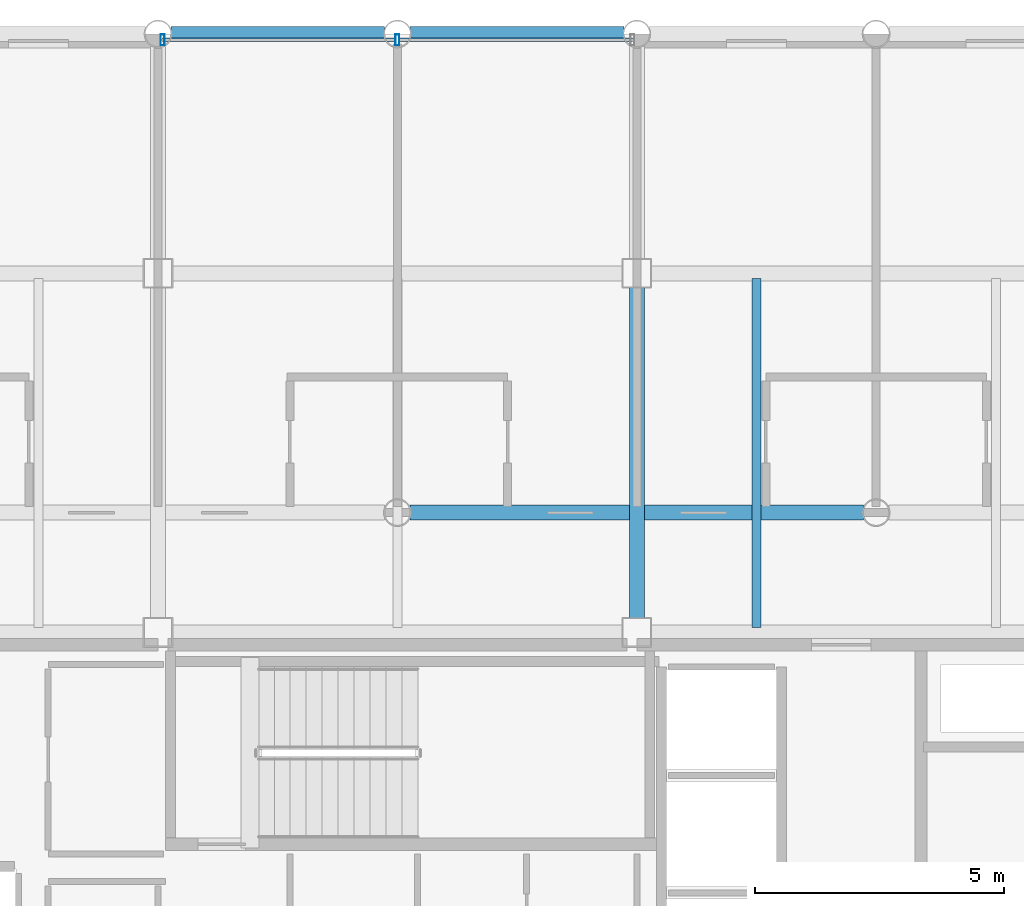
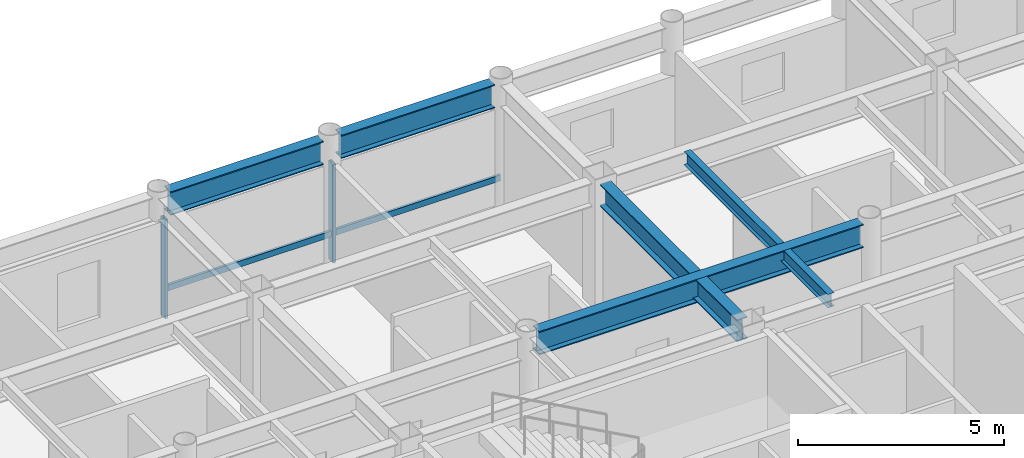
# One storey, part 13 of 22: 5 beams, 4 members, 1 element without a shape of its own.
"""IFC4 building model written with IfcOpenShell, lengths in metres."""

from ifc_helpers import new_model, si_unit, direction, frame, origin, origin_2d, place, context, subcontext, project, spatial, hollow_rectangle, i_section, extrude, material, layer, layer_set, material_profile, profile_set, type_object, element, aggregate, save


model = new_model("IFC4")

# Units and contexts
model_context = context("Model", 3, precision=1e-05, world=origin(), true_north=direction((0.0, 1.0)))
body_context = subcontext(model_context, "Body", "Model", "MODEL_VIEW")
ifc_project = project(units=[si_unit("LENGTHUNIT", "METRE"), si_unit("AREAUNIT", "SQUARE_METRE"), si_unit("VOLUMEUNIT", "CUBIC_METRE"), si_unit("PLANEANGLEUNIT", "RADIAN"), si_unit("MASSUNIT", "GRAM", prefix="KILO")], contexts=[model_context])

# Site, building, storey
site_placement = place(None, origin())
site = spatial("IfcSite", under=ifc_project, at=site_placement, CompositionType="ELEMENT")
building_placement = place(site_placement, origin())
building = spatial("IfcBuilding", under=site, at=building_placement, Name="Kallvorn Hotel Tower", CompositionType="ELEMENT")
storey_placement = place(building_placement, frame((0.0, 0.0, 199.199951171875)))
storey = spatial("IfcBuildingStorey", under=building, at=storey_placement, Name="L49", CompositionType="ELEMENT", Elevation=199.199951171875)

# Beams
ifc_material_1 = material(Name="Structural steel S355JR", Category="steel")
ifc_material_profile_1 = material_profile(ifc_material_1, i_section(OverallWidth=0.300048828125, OverallDepth=0.64990234375, WebThickness=0.01611328125, FlangeThickness=0.031005859375, at=origin_2d()), Name="HE 650 B")
ifc_profile_set_1 = profile_set([ifc_material_profile_1], Name="Structural steel S355JR")
beam_type_1 = type_object("IfcBeamType", Name="BM_HE650B", PredefinedType="BEAM", material=ifc_profile_set_1)
beam_1_placement = place(storey_placement, frame((4.800048828125, 7.47509765625, 3.344970703125), z_axis=(0.0, 1.0, 0.0), x_axis=(-1.0, 0.0, 0.0)))
element("IfcBeam", 1, at=beam_1_placement, inside=storey, type_object=beam_type_1, Name="L50 Primary Y-Girder 116", PredefinedType="BEAM", context=body_context, shape_type="SweptSolid", body=[
    extrude(i_section(OverallWidth=0.300048828125, OverallDepth=0.64990234375, WebThickness=0.01611328125, FlangeThickness=0.031005859375, at=origin_2d()), origin(), (0.0, 0.0, 1.0), 6.64990234375),
])
ifc_material_2 = material(Name="Structural steel S355JR", Category="steel")
ifc_material_profile_2 = material_profile(ifc_material_2, i_section(OverallWidth=0.300048828125, OverallDepth=0.699951171875, WebThickness=0.01708984375, FlangeThickness=0.031982421875, at=origin_2d()), Name="HE 700 B")
ifc_profile_set_2 = profile_set([ifc_material_profile_2], Name="Structural steel S355JR")
beam_type_2 = type_object("IfcBeamType", Name="BM_HE700B", PredefinedType="BEAM", material=ifc_profile_set_2)
beam_2_placement = place(storey_placement, frame((0.25439453125, 9.60009765625, 3.320068359375), z_axis=(1.0, 0.0, 0.0), x_axis=(0.0, 1.0, 0.0)))
element("IfcBeam", 2, at=beam_2_placement, inside=storey, type_object=beam_type_2, Name="L50 Primary X-Girder 46", PredefinedType="BEAM", context=body_context, shape_type="SweptSolid", body=[
    extrude(i_section(OverallWidth=0.300048828125, OverallDepth=0.699951171875, WebThickness=0.01708984375, FlangeThickness=0.031982421875, at=origin_2d()), origin(), (0.0, 0.0, 1.0), 9.091064453125),
])
for number, where, z_axis, x_axis, name in (
    (3, (-4.54541015625, 19.199951171875, 3.320068359375), (1.0, 0.0, 0.0), (0.0, 1.0, 0.0), "L50 Primary X-Girder 66"),
    (4, (0.25439453125, 19.199951171875, 3.320068359375), (1.0, 0.0, 0.0), (0.0, 1.0, 0.0), "L50 Primary X-Girder 67"),
):
    element("IfcBeam", number, at=place(storey_placement, frame(where, z_axis=z_axis, x_axis=x_axis)), inside=storey, type_object=beam_type_2, Name=name, PredefinedType="BEAM", context=body_context, shape_type="SweptSolid", body=[
        extrude(i_section(OverallWidth=0.300048828125, OverallDepth=0.699951171875, WebThickness=0.01708984375, FlangeThickness=0.031982421875, at=origin_2d()), origin(), (0.0, 0.0, 1.0), 4.291015625),
    ])
ifc_material_3 = material(Name="Structural steel S355JR", Category="steel")
ifc_material_profile_3 = material_profile(ifc_material_3, i_section(OverallWidth=0.179931640625, OverallDepth=0.39990234375, WebThickness=0.008544921875, FlangeThickness=0.013427734375, at=origin_2d()), Name="IPE 400")
ifc_profile_set_3 = profile_set([ifc_material_profile_3], Name="Structural steel S355JR")
beam_type_3 = type_object("IfcBeamType", Name="BM_IPE400", PredefinedType="JOIST", material=ifc_profile_set_3)
beam_3_placement = place(storey_placement, frame((7.199951171875, 7.300048828125, 3.469970703125), z_axis=(0.0, 1.0, 0.0), x_axis=(-1.0, 0.0, 0.0)))
element("IfcBeam", 5, at=beam_3_placement, inside=storey, type_object=beam_type_3, Name="L50 Secondary Composite Joist 203", PredefinedType="JOIST", context=body_context, shape_type="SweptSolid", body=[
    extrude(i_section(OverallWidth=0.179931640625, OverallDepth=0.39990234375, WebThickness=0.008544921875, FlangeThickness=0.013427734375, at=origin_2d()), origin(), (0.0, 0.0, 1.0), 7.0),
])

# Curtain wall, members
ifc_material_4 = material(Name="Thermally broken black-anodised aluminium AA 6063-T6", Category="aluminium")
ifc_layer = layer(ifc_material_4, 0.22998046875)
ifc_layer_set = layer_set([ifc_layer], Name="CW_SYS_5_HOTEL_HIGH")
curtain_wall_type = type_object("IfcCurtainWallType", Name="CW_SYS_5_HOTEL_HIGH", PredefinedType="USERDEFINED", material=ifc_layer_set)
curtain_wall_placement = place(storey_placement, origin())
curtain_wall = element("IfcCurtainWall", 6, at=curtain_wall_placement, inside=storey, type_object=curtain_wall_type, Name="L49 Dark-Glass Curtain Wall CW-L49-NC", ObjectType="UNITISED CURTAIN WALL", PredefinedType="USERDEFINED")
ifc_material_5 = material(Name="Thermally broken black-anodised aluminium AA 6063-T6", Category="aluminium")
ifc_material_profile_4 = material_profile(ifc_material_5, hollow_rectangle(XDim=0.080078125, YDim=0.219970703125, WallThickness=0.0048828125, at=origin_2d()), Name="MUL 220x80")
ifc_profile_set_4 = profile_set([ifc_material_profile_4], Name="Thermally broken black-anodised aluminium AA 6063-T6")
member_type_1 = type_object("IfcMemberType", Name="CW_MULLION_220x80", PredefinedType="MULLION", material=ifc_profile_set_4)
member_1_placement = place(storey_placement, frame((-4.7099609375, 19.080078125, 0.02001953125), z_axis=(0.0, 0.0, 1.0), x_axis=(1.0, 0.0, 0.0)))
member_1 = element("IfcMember", 7, at=member_1_placement, type_object=member_type_1, Name="CW-L49-NC Mullion 00", PredefinedType="MULLION", context=body_context, shape_type="SweptSolid", body=[
    extrude(hollow_rectangle(XDim=0.080078125, YDim=0.219970703125, WallThickness=0.0048828125, at=origin_2d()), origin(), (0.0, 0.0, 1.0), 2.929931640625),
])
member_2_placement = place(storey_placement, frame((0.0, 19.080078125, 0.02001953125), z_axis=(0.0, 0.0, 1.0), x_axis=(1.0, 0.0, 0.0)))
member_2 = element("IfcMember", 8, at=member_2_placement, type_object=member_type_1, Name="CW-L49-NC Mullion 01", PredefinedType="MULLION", context=body_context, shape_type="SweptSolid", body=[
    extrude(hollow_rectangle(XDim=0.080078125, YDim=0.219970703125, WallThickness=0.0048828125, at=origin_2d()), origin(), (0.0, 0.0, 1.0), 2.929931640625),
])
ifc_material_6 = material(Name="Thermally broken black-anodised aluminium AA 6063-T6", Category="aluminium")
ifc_material_profile_5 = material_profile(ifc_material_6, hollow_rectangle(XDim=0.070068359375, YDim=0.179931640625, WallThickness=0.00390625, at=origin_2d()), Name="TRN 180x70")
ifc_profile_set_5 = profile_set([ifc_material_profile_5], Name="Thermally broken black-anodised aluminium AA 6063-T6")
member_type_2 = type_object("IfcMemberType", Name="CW_TRANSOM_180x70", PredefinedType="USERDEFINED", material=ifc_profile_set_5)
member_3_placement = place(storey_placement, frame((-4.7099609375, 19.080078125, 0.85009765625), z_axis=(1.0, 0.0, 0.0), x_axis=(0.0, 1.0, 0.0)))
member_3 = element("IfcMember", 9, at=member_3_placement, type_object=member_type_2, Name="CW-L49-NC Transom 00M", ObjectType="TRANSOM", PredefinedType="USERDEFINED", context=body_context, shape_type="SweptSolid", body=[
    extrude(hollow_rectangle(XDim=0.070068359375, YDim=0.179931640625, WallThickness=0.00390625, at=origin_2d()), origin(), (0.0, 0.0, 1.0), 4.669921875),
])
member_4_placement = place(storey_placement, frame((0.0400390625, 19.080078125, 0.85009765625), z_axis=(1.0, 0.0, 0.0), x_axis=(0.0, 1.0, 0.0)))
member_4 = element("IfcMember", 10, at=member_4_placement, type_object=member_type_2, Name="CW-L49-NC Transom 01M", ObjectType="TRANSOM", PredefinedType="USERDEFINED", context=body_context, shape_type="SweptSolid", body=[
    extrude(hollow_rectangle(XDim=0.070068359375, YDim=0.179931640625, WallThickness=0.00390625, at=origin_2d()), origin(), (0.0, 0.0, 1.0), 4.669921875),
])
aggregate(curtain_wall, [member_1, member_2, member_3, member_4])

save(model, "model.ifc")
